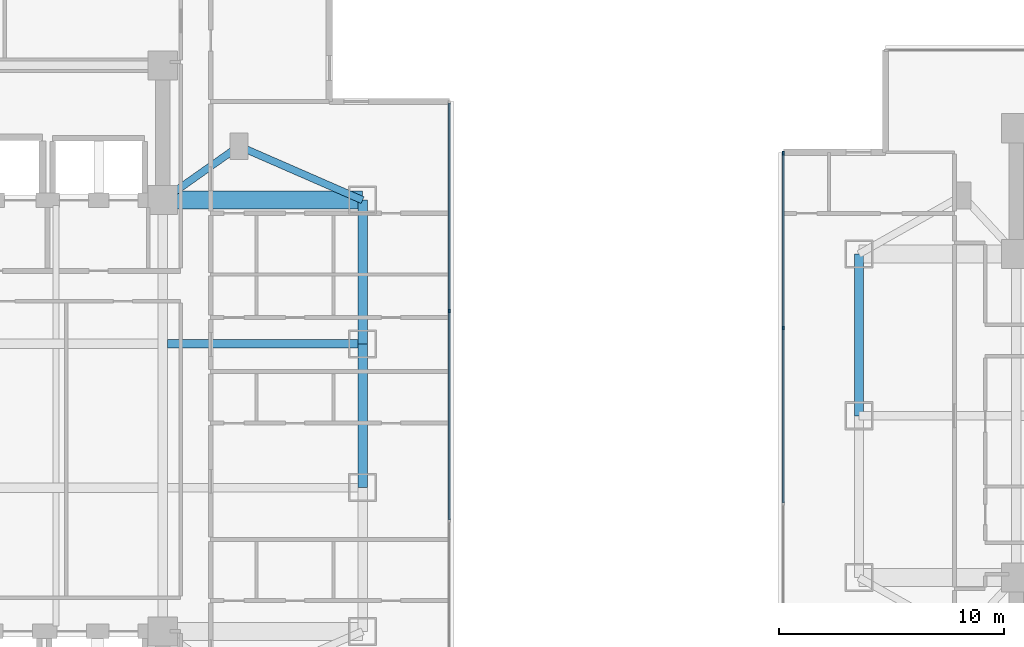
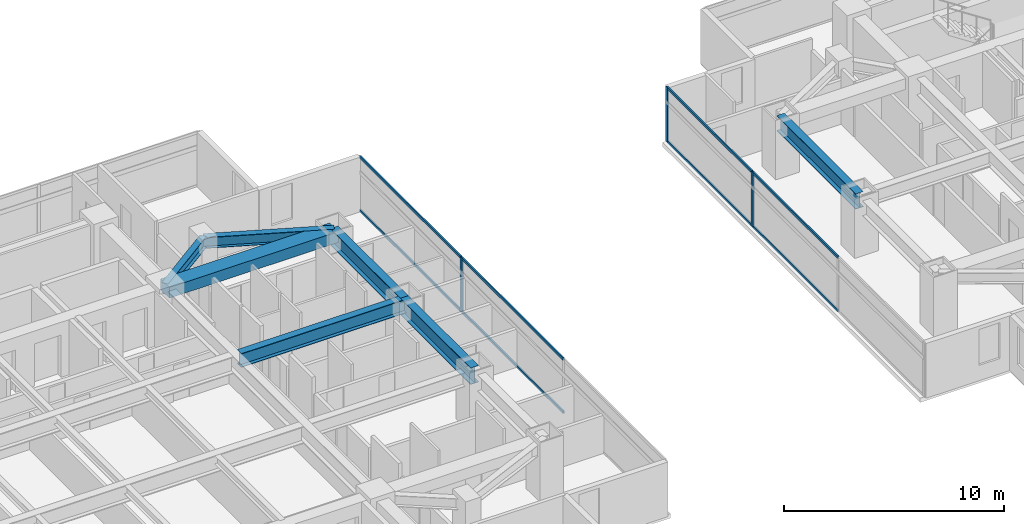
# One storey, part 6 of 24: 11 members, 7 beams, 2 elements without a shape of their own.
"""IFC4 building model written with IfcOpenShell, lengths in metres."""

from ifc_helpers import new_model, si_unit, direction, frame, origin, origin_2d, place, context, subcontext, project, spatial, rectangle, i_section, extrude, material, material_profile, profile_set, type_object, element, aggregate, save


model = new_model("IFC4")

# Units and contexts
model_context = context("Model", 3, precision=1e-05, world=origin(), true_north=direction((0.0, 1.0)))
body_context = subcontext(model_context, "Body", "Model", "MODEL_VIEW")
ifc_project = project(units=[si_unit("LENGTHUNIT", "METRE"), si_unit("AREAUNIT", "SQUARE_METRE"), si_unit("VOLUMEUNIT", "CUBIC_METRE"), si_unit("PLANEANGLEUNIT", "RADIAN"), si_unit("MASSUNIT", "GRAM", prefix="KILO")], contexts=[model_context])

# Site, building, storey
site_placement = place(None, origin())
site = spatial("IfcSite", under=ifc_project, at=site_placement, CompositionType="ELEMENT")
building_placement = place(site_placement, origin())
building = spatial("IfcBuilding", under=site, at=building_placement, Name="Mirazonda Arch Towers", CompositionType="ELEMENT")
storey_placement = place(building_placement, frame((0.0, 0.0, 71.89990234375)))
storey = spatial("IfcBuildingStorey", under=building, at=storey_placement, Name="L20", CompositionType="ELEMENT", Elevation=71.89990234375)

# Beams
ifc_material_1 = material(Name="Steel ASTM A992 Grade 50", Category="steel")
ifc_material_profile_1 = material_profile(ifc_material_1, i_section(OverallWidth=0.39990234375, OverallDepth=0.85595703125, WebThickness=0.018310546875, FlangeThickness=0.029296875, at=origin_2d()), Name="W33X201")
ifc_profile_set_1 = profile_set([ifc_material_profile_1], Name="Steel ASTM A992 Grade 50")
beam_type_1 = type_object("IfcBeamType", Name="BM-EXT-W33X201", PredefinedType="USERDEFINED", material=ifc_profile_set_1)
beam_1_placement = place(storey_placement, frame((61.0, 28.0, 2.632080078125), z_axis=(0.0, 1.0, 0.0), x_axis=(-1.0, 0.0, 0.0)))
element("IfcBeam", 1, at=beam_1_placement, inside=storey, type_object=beam_type_1, Name="L20 Floor Beam BM-T2-L20-NS-W-28", ObjectType="GIRDER", PredefinedType="USERDEFINED", context=body_context, shape_type="SweptSolid", body=[
    extrude(i_section(OverallWidth=0.39990234375, OverallDepth=0.85595703125, WebThickness=0.018310546875, FlangeThickness=0.029296875, at=origin_2d()), origin(), (0.0, 0.0, 1.0), 7.199951171875),
])
ifc_material_profile_2 = material_profile(ifc_material_1, i_section(OverallWidth=0.41796875, OverallDepth=0.927001953125, WebThickness=0.019287109375, FlangeThickness=0.031982421875, at=origin_2d()), Name="W36X231")
ifc_profile_set_2 = profile_set([ifc_material_profile_2], Name="Steel ASTM A992 Grade 50")
beam_type_2 = type_object("IfcBeamType", Name="BM-EXT-W36X231", PredefinedType="USERDEFINED", material=ifc_profile_set_2)
beam_2_placement = place(storey_placement, frame((38.89990234375, 24.800048828125, 2.5966796875), z_axis=(0.0, 1.0, 0.0), x_axis=(-1.0, 0.0, 0.0)))
element("IfcBeam", 2, at=beam_2_placement, inside=storey, type_object=beam_type_2, Name="L20 Floor Beam BM-T1-L20-NS-E-24", ObjectType="GIRDER", PredefinedType="USERDEFINED", context=body_context, shape_type="SweptSolid", body=[
    extrude(i_section(OverallWidth=0.41796875, OverallDepth=0.927001953125, WebThickness=0.019287109375, FlangeThickness=0.031982421875, at=origin_2d()), origin(), (0.0, 0.0, 1.0), 6.39990234375),
])
beam_3_placement = place(storey_placement, frame((38.89990234375, 31.199951171875, 2.5966796875), z_axis=(0.0, 1.0, 0.0), x_axis=(-1.0, 0.0, 0.0)))
element("IfcBeam", 3, at=beam_3_placement, inside=storey, type_object=beam_type_2, Name="L20 Floor Beam BM-T1-L20-NS-E-31", ObjectType="GIRDER", PredefinedType="USERDEFINED", context=body_context, shape_type="SweptSolid", body=[
    extrude(i_section(OverallWidth=0.41796875, OverallDepth=0.927001953125, WebThickness=0.019287109375, FlangeThickness=0.031982421875, at=origin_2d()), origin(), (0.0, 0.0, 1.0), 6.400146484375),
])
ifc_material_profile_3 = material_profile(ifc_material_1, i_section(OverallWidth=0.324951171875, OverallDepth=0.615966796875, WebThickness=0.013916015625, FlangeThickness=0.021484375, at=origin_2d()), Name="W24X117")
ifc_profile_set_3 = profile_set([ifc_material_profile_3], Name="Steel ASTM A992 Grade 50")
beam_type_3 = type_object("IfcBeamType", Name="BM-INT-W24X117", PredefinedType="BEAM", material=ifc_profile_set_3)
beam_4_placement = place(storey_placement, frame((33.39990234375, 40.0, 2.752197265625), z_axis=(-0.816971114901, -0.576678591087, 0.0), x_axis=(0.576678591087, -0.816971114901, 0.0)))
element("IfcBeam", 4, at=beam_4_placement, inside=storey, type_object=beam_type_3, Name="L20 Floor Beam BM-T1-L20-PL-NE1", PredefinedType="BEAM", context=body_context, shape_type="SweptSolid", body=[
    extrude(i_section(OverallWidth=0.324951171875, OverallDepth=0.615966796875, WebThickness=0.013916015625, FlangeThickness=0.021484375, at=origin_2d()), origin(), (0.0, 0.0, 1.0), 4.16162109375),
])
beam_5_placement = place(storey_placement, frame((33.39990234375, 40.0, 2.752197265625), z_axis=(0.916545343703, -0.399930785183, 0.0), x_axis=(0.399930785183, 0.916545343703, 0.0)))
element("IfcBeam", 5, at=beam_5_placement, inside=storey, type_object=beam_type_3, Name="L20 Floor Beam BM-T1-L20-PL-NE2", PredefinedType="BEAM", context=body_context, shape_type="SweptSolid", body=[
    extrude(i_section(OverallWidth=0.324951171875, OverallDepth=0.615966796875, WebThickness=0.013916015625, FlangeThickness=0.021484375, at=origin_2d()), origin(), (0.0, 0.0, 1.0), 6.000732421875),
])
ifc_material_profile_4 = material_profile(ifc_material_1, i_section(OverallWidth=0.381103515625, OverallDepth=0.77294921875, WebThickness=0.0166015625, FlangeThickness=0.027099609375, at=origin_2d()), Name="W30X173")
ifc_profile_set_4 = profile_set([ifc_material_profile_4], Name="Steel ASTM A992 Grade 50")
beam_type_4 = type_object("IfcBeamType", Name="BM-INT-W30X173", PredefinedType="USERDEFINED", material=ifc_profile_set_4)
beam_6_placement = place(storey_placement, frame((30.21142578125, 31.199951171875, 2.673583984375), z_axis=(1.0, 0.0, 0.0), x_axis=(0.0, 1.0, 0.0)))
element("IfcBeam", 6, at=beam_6_placement, inside=storey, type_object=beam_type_4, Name="L20 Floor Beam BM-T1-L20-GE3", ObjectType="GIRDER", PredefinedType="USERDEFINED", context=body_context, shape_type="SweptSolid", body=[
    extrude(i_section(OverallWidth=0.381103515625, OverallDepth=0.77294921875, WebThickness=0.0166015625, FlangeThickness=0.027099609375, at=origin_2d()), origin(), (0.0, 0.0, 1.0), 8.6884765625),
])
ifc_material_2 = material(Name="Concrete C60/75", Category="concrete")
ifc_material_profile_5 = material_profile(ifc_material_2, rectangle(XDim=0.800048828125, YDim=0.60009765625, at=origin_2d()), Name="RCCB800x600")
ifc_profile_set_5 = profile_set([ifc_material_profile_5], Name="Concrete C60/75")
beam_type_5 = type_object("IfcBeamType", Name="CB-INT-RCCB800x600", PredefinedType="SPANDREL", material=ifc_profile_set_5)
beam_7_placement = place(storey_placement, frame((30.0, 37.60009765625, 2.760009765625), z_axis=(1.0, 0.0, 0.0), x_axis=(0.0, 1.0, 0.0)))
element("IfcBeam", 7, at=beam_7_placement, inside=storey, type_object=beam_type_5, Name="L20 Floor Beam CBC-T1-L20-NE", PredefinedType="SPANDREL", context=body_context, shape_type="SweptSolid", body=[
    extrude(rectangle(XDim=0.800048828125, YDim=0.60009765625, at=origin_2d()), origin(), (0.0, 0.0, 1.0), 8.89990234375),
])

# Curtain wall, member
ifc_material_3 = material(Name="Anodised Aluminium and Low-E Glass", Category="aluminium")
curtain_wall_type = type_object("IfcCurtainWallType", Name="CW-HTL-UNIT", PredefinedType="NOTDEFINED", material=ifc_material_3)
curtain_wall_1_placement = place(storey_placement, origin())
curtain_wall_1 = element("IfcCurtainWall", 8, at=curtain_wall_1_placement, inside=storey, type_object=curtain_wall_type, Name="L20 T1 E Facade CW-L20-T1-E", PredefinedType="NOTDEFINED")
ifc_material_4 = material(Name="Anodised Aluminium Alloy", Category="aluminium")
ifc_material_profile_6 = material_profile(ifc_material_4, rectangle(XDim=0.074951171875, YDim=0.1650390625, at=origin_2d()), Name="ALU-MULL-75x165")
ifc_profile_set_6 = profile_set([ifc_material_profile_6], Name="Anodised Aluminium Alloy")
member_type_1 = type_object("IfcMemberType", Name="MULL-CW-HTL-UNIT", PredefinedType="MULLION", material=ifc_profile_set_6)
member_1_placement = place(storey_placement, frame((42.760009765625, 32.66259765625, 0.0), z_axis=(0.0, 0.0, 1.0), x_axis=(-1.0, 0.0, 0.0)))
member_1 = element("IfcMember", 9, at=member_1_placement, type_object=member_type_1, Name="CW-112 mullion 3", PredefinedType="MULLION", context=body_context, shape_type="SweptSolid", body=[
    extrude(rectangle(XDim=0.074951171875, YDim=0.1650390625, at=origin_2d()), origin(), (0.0, 0.0, 1.0), 3.0400390625),
])

# Curtain wall, members
curtain_wall_2_placement = place(storey_placement, origin())
curtain_wall_2 = element("IfcCurtainWall", 10, at=curtain_wall_2_placement, inside=storey, type_object=curtain_wall_type, Name="L20 T2 W Facade CW-L20-T2-W", PredefinedType="NOTDEFINED")
member_2_placement = place(storey_placement, frame((57.632080078125, 39.6923828125, 0.0), z_axis=(0.0, 0.0, 1.0), x_axis=(1.0, 0.0, 0.0)))
member_2 = element("IfcMember", 11, at=member_2_placement, type_object=member_type_1, Name="CW-112 mullion 1", PredefinedType="MULLION", context=body_context, shape_type="SweptSolid", body=[
    extrude(rectangle(XDim=0.074951171875, YDim=0.1650390625, at=origin_2d()), origin(), (0.0, 0.0, 1.0), 3.0400390625),
])
member_3_placement = place(storey_placement, frame((57.632080078125, 31.909912109375, 0.0), z_axis=(0.0, 0.0, 1.0), x_axis=(1.0, 0.0, 0.0)))
member_3 = element("IfcMember", 12, at=member_3_placement, type_object=member_type_1, Name="CW-112 mullion 2", PredefinedType="MULLION", context=body_context, shape_type="SweptSolid", body=[
    extrude(rectangle(XDim=0.074951171875, YDim=0.1650390625, at=origin_2d()), origin(), (0.0, 0.0, 1.0), 3.0400390625),
])

# Member
ifc_material_profile_7 = material_profile(ifc_material_4, rectangle(XDim=0.074951171875, YDim=0.14501953125, at=origin_2d()), Name="ALU-TRAN-75x145")
ifc_profile_set_7 = profile_set([ifc_material_profile_7], Name="Anodised Aluminium Alloy")
member_type_2 = type_object("IfcMemberType", Name="TRAN-CW-HTL-UNIT", PredefinedType="USERDEFINED", material=ifc_profile_set_7)
member_4_placement = place(storey_placement, frame((42.760009765625, 23.374755859375, 0.03759765625), z_axis=(0.0, 1.0, 0.0), x_axis=(-1.0, 0.0, 0.0)))
member_4 = element("IfcMember", 13, at=member_4_placement, type_object=member_type_2, Name="CW-112 transom 2.1", ObjectType="TRANSOM", PredefinedType="USERDEFINED", context=body_context, shape_type="SweptSolid", body=[
    extrude(rectangle(XDim=0.074951171875, YDim=0.14501953125, at=origin_2d()), origin(), (0.0, 0.0, 1.0), 9.25048828125),
])

member_5_placement = place(storey_placement, frame((42.760009765625, 23.374755859375, 3.002685546875), z_axis=(0.0, 1.0, 0.0), x_axis=(-1.0, 0.0, 0.0)))
member_5 = element("IfcMember", 14, at=member_5_placement, type_object=member_type_2, Name="CW-112 transom 2.2", ObjectType="TRANSOM", PredefinedType="USERDEFINED", context=body_context, shape_type="SweptSolid", body=[
    extrude(rectangle(XDim=0.074951171875, YDim=0.14501953125, at=origin_2d()), origin(), (0.0, 0.0, 1.0), 9.25048828125),
])

member_6_placement = place(storey_placement, frame((42.760009765625, 32.7001953125, 0.03759765625), z_axis=(0.0, 1.0, 0.0), x_axis=(-1.0, 0.0, 0.0)))
member_6 = element("IfcMember", 15, at=member_6_placement, type_object=member_type_2, Name="CW-112 transom 3.1", ObjectType="TRANSOM", PredefinedType="USERDEFINED", context=body_context, shape_type="SweptSolid", body=[
    extrude(rectangle(XDim=0.074951171875, YDim=0.14501953125, at=origin_2d()), origin(), (0.0, 0.0, 1.0), 9.212890625),
])

member_7_placement = place(storey_placement, frame((42.760009765625, 32.7001953125, 3.002685546875), z_axis=(0.0, 1.0, 0.0), x_axis=(-1.0, 0.0, 0.0)))
member_7 = element("IfcMember", 16, at=member_7_placement, type_object=member_type_2, Name="CW-112 transom 3.2", ObjectType="TRANSOM", PredefinedType="USERDEFINED", context=body_context, shape_type="SweptSolid", body=[
    extrude(rectangle(XDim=0.074951171875, YDim=0.14501953125, at=origin_2d()), origin(), (0.0, 0.0, 1.0), 9.212890625),
])

aggregate(curtain_wall_1, [member_1, member_4, member_5, member_6, member_7])

member_8_placement = place(storey_placement, frame((57.632080078125, 39.65478515625, 0.03759765625), z_axis=(0.0, -1.0, 0.0), x_axis=(1.0, 0.0, 0.0)))
member_8 = element("IfcMember", 17, at=member_8_placement, type_object=member_type_2, Name="CW-112 transom 1.1", ObjectType="TRANSOM", PredefinedType="USERDEFINED", context=body_context, shape_type="SweptSolid", body=[
    extrude(rectangle(XDim=0.074951171875, YDim=0.14501953125, at=origin_2d()), origin(), (0.0, 0.0, 1.0), 7.707275390625),
])

member_9_placement = place(storey_placement, frame((57.632080078125, 39.65478515625, 3.002685546875), z_axis=(0.0, -1.0, 0.0), x_axis=(1.0, 0.0, 0.0)))
member_9 = element("IfcMember", 18, at=member_9_placement, type_object=member_type_2, Name="CW-112 transom 1.2", ObjectType="TRANSOM", PredefinedType="USERDEFINED", context=body_context, shape_type="SweptSolid", body=[
    extrude(rectangle(XDim=0.074951171875, YDim=0.14501953125, at=origin_2d()), origin(), (0.0, 0.0, 1.0), 7.707275390625),
])

member_10_placement = place(storey_placement, frame((57.632080078125, 31.872314453125, 0.03759765625), z_axis=(0.0, -1.0, 0.0), x_axis=(1.0, 0.0, 0.0)))
member_10 = element("IfcMember", 19, at=member_10_placement, type_object=member_type_2, Name="CW-112 transom 2.1", ObjectType="TRANSOM", PredefinedType="USERDEFINED", context=body_context, shape_type="SweptSolid", body=[
    extrude(rectangle(XDim=0.074951171875, YDim=0.14501953125, at=origin_2d()), origin(), (0.0, 0.0, 1.0), 7.74462890625),
])

member_11_placement = place(storey_placement, frame((57.632080078125, 31.872314453125, 3.002685546875), z_axis=(0.0, -1.0, 0.0), x_axis=(1.0, 0.0, 0.0)))
member_11 = element("IfcMember", 20, at=member_11_placement, type_object=member_type_2, Name="CW-112 transom 2.2", ObjectType="TRANSOM", PredefinedType="USERDEFINED", context=body_context, shape_type="SweptSolid", body=[
    extrude(rectangle(XDim=0.074951171875, YDim=0.14501953125, at=origin_2d()), origin(), (0.0, 0.0, 1.0), 7.74462890625),
])

aggregate(curtain_wall_2, [member_2, member_3, member_8, member_9, member_10, member_11])

save(model, "model.ifc")
